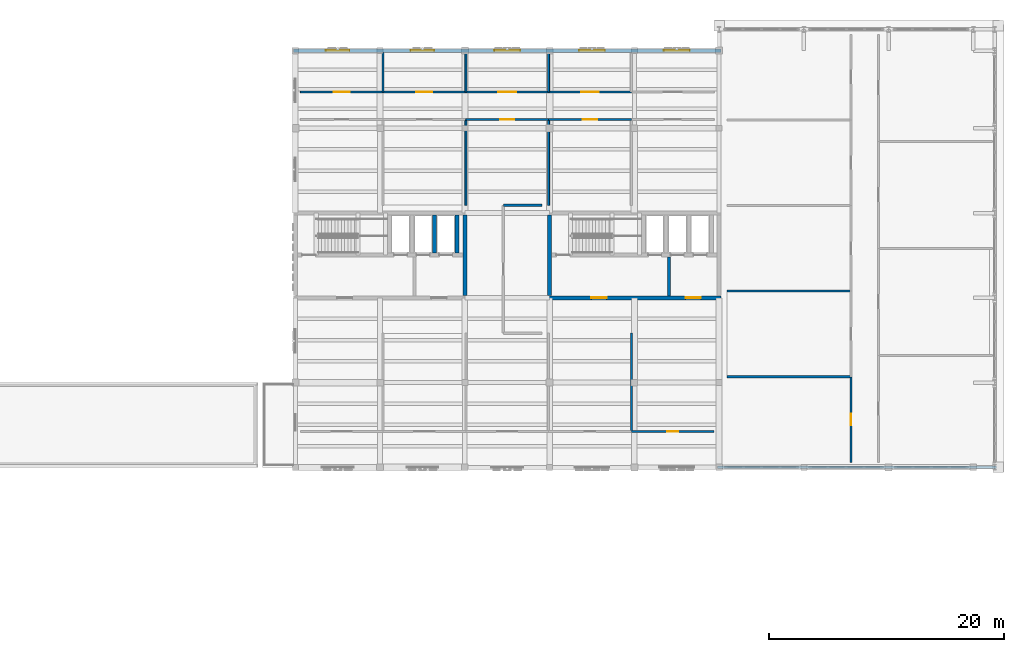
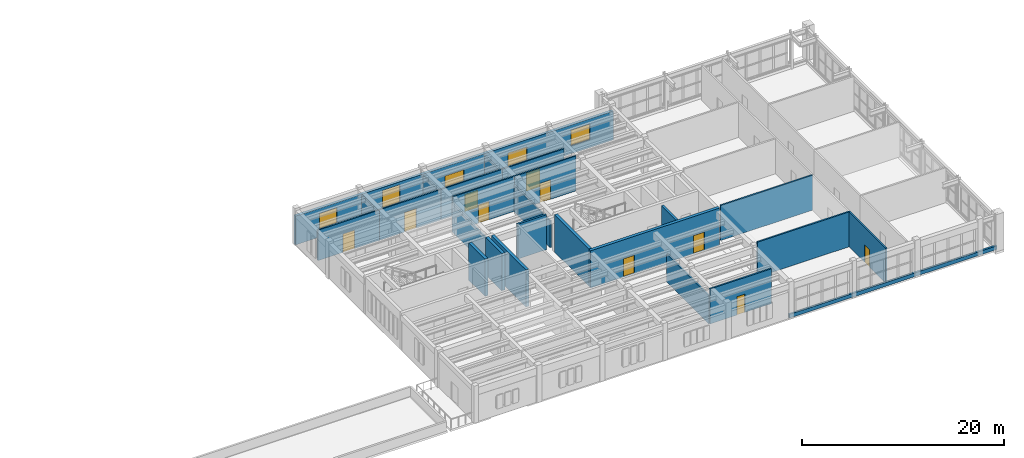
# One storey, part 13 of 18: 25 walls, 10 doors, 5 windows, 15 openings.
"""IFC4 building model written with IfcOpenShell, lengths in metres."""

from ifc_helpers import new_model, si_unit, direction, frame, frame_2d, origin, place, context, subcontext, project, spatial, rectangle, extrude, material, layer, layer_set, type_object, element, fill, save


model = new_model("IFC4")

# Units and contexts
model_context = context("Model", 3, precision=1e-05, world=origin(), true_north=direction((0.0, 1.0)))
body_context = subcontext(model_context, "Body", "Model", "MODEL_VIEW")
ifc_project = project(units=[si_unit("LENGTHUNIT", "METRE"), si_unit("AREAUNIT", "SQUARE_METRE"), si_unit("VOLUMEUNIT", "CUBIC_METRE"), si_unit("PLANEANGLEUNIT", "RADIAN"), si_unit("MASSUNIT", "GRAM", prefix="KILO")], contexts=[model_context])

# Site, building, storey
site_placement = place(None, origin())
site = spatial("IfcSite", under=ifc_project, at=site_placement, CompositionType="ELEMENT")
building_placement = place(site_placement, origin())
building = spatial("IfcBuilding", under=site, at=building_placement, Name="Mithqara Police Headquarters", CompositionType="ELEMENT")
storey_placement = place(building_placement, frame((0.0, 0.0, 26.39990234375)))
storey = spatial("IfcBuildingStorey", under=building, at=storey_placement, Name="L06", CompositionType="ELEMENT", Elevation=26.39990234375)

# Wall
ifc_material_1 = material(Name="Concrete C40/50", Category="concrete")
ifc_layer_1 = layer(ifc_material_1, 0.239990234375, Name="Concrete C40/50")
ifc_layer_set_1 = layer_set([ifc_layer_1], Name="Concrete C40/50")
wall_type_1 = type_object("IfcWallType", Name="CORE LOBBY WALL 240", PredefinedType="SOLIDWALL", material=ifc_layer_set_1)
wall_1_placement = place(storey_placement, frame((140.330078125, 93.169921875, 0.0), z_axis=(0.0, 0.0, 1.0), x_axis=(0.0, 1.0, 0.0)))
element("IfcWall", 1, at=wall_1_placement, inside=storey, type_object=wall_type_1, Name="Core C2 Command East Firefighting Lobby Separation Wall L06", PredefinedType="SOLIDWALL", context=body_context, shape_type="SweptSolid", body=[
    extrude(rectangle(XDim=3.280029296875, YDim=0.239990234375, at=frame_2d((1.64013671875, 0.0))), origin(), (0.0, 0.0, 1.0), 4.190185546875),
])

# Wall, openings, windows
ifc_material_2 = material(Name="Ochre masonry cavity wall, 35 MPa", Category="masonry")
ifc_layer_2 = layer(ifc_material_2, 0.300048828125, Name="Ochre masonry cavity wall, 35 MPa")
ifc_layer_set_2 = layer_set([ifc_layer_2], Name="Ochre masonry cavity wall, 35 MPa")
wall_type_2 = type_object("IfcWallType", Name="EXT WALL OCHRE BRICK300", PredefinedType="SOLIDWALL", material=ifc_layer_set_2)
wall_2_placement = place(storey_placement, frame((144.75, 114.0, 0.0), z_axis=(0.0, 0.0, 1.0), x_axis=(-1.0, 0.0, 0.0)))
wall_2 = element("IfcWall", 2, at=wall_2_placement, inside=storey, type_object=wall_type_2, Name="L06 Exterior Wall 6.1", PredefinedType="SOLIDWALL", context=body_context, shape_type="SweptSolid", body=[
    extrude(rectangle(XDim=36.300048828125, YDim=0.300048828125, at=frame_2d((18.14990234375, 0.0))), origin(), (0.0, 0.0, 1.0), 3.47021484375),
])
opening_1_placement = place(wall_2_placement, frame((31.550048828125, 0.0, 0.949951171875)))
opening_1 = element("IfcOpeningElement", 3, at=opening_1_placement, cuts=wall_2, Name="Opening W-38", PredefinedType="OPENING", context=body_context, shape_type="SweptSolid", body=[
    extrude(rectangle(XDim=2.0, YDim=1.89990234375, at=frame_2d((1.0, 0.949951171875))), frame((0.0, 0.16015625, 0.0), z_axis=(0.0, -1.0, 0.0), x_axis=(1.0, 0.0, 0.0)), (0.0, 0.0, 1.0), 0.320068359375),
])
opening_2_placement = place(wall_2_placement, frame((24.35009765625, 0.0, 0.949951171875)))
opening_2 = element("IfcOpeningElement", 4, at=opening_2_placement, cuts=wall_2, Name="Opening W-39", PredefinedType="OPENING", context=body_context, shape_type="SweptSolid", body=[
    extrude(rectangle(XDim=2.0, YDim=2.14990234375, at=frame_2d((1.0, 1.074951171875))), frame((0.0, 0.16015625, 0.0), z_axis=(0.0, -1.0, 0.0), x_axis=(1.0, 0.0, 0.0)), (0.0, 0.0, 1.0), 0.320068359375),
])
opening_3_placement = place(wall_2_placement, frame((17.050048828125, 0.0, 0.949951171875)))
opening_3 = element("IfcOpeningElement", 5, at=opening_3_placement, cuts=wall_2, Name="Opening W-41", PredefinedType="OPENING", context=body_context, shape_type="SweptSolid", body=[
    extrude(rectangle(XDim=2.199951171875, YDim=1.39990234375, at=frame_2d((1.10009765625, 0.699951171875))), frame((0.0, 0.16015625, 0.0), z_axis=(0.0, -1.0, 0.0), x_axis=(1.0, 0.0, 0.0)), (0.0, 0.0, 1.0), 0.320068359375),
])
opening_4_placement = place(wall_2_placement, frame((9.85009765625, 0.0, 0.949951171875)))
opening_4 = element("IfcOpeningElement", 6, at=opening_4_placement, cuts=wall_2, Name="Opening W-42", PredefinedType="OPENING", context=body_context, shape_type="SweptSolid", body=[
    extrude(rectangle(XDim=2.199951171875, YDim=1.64990234375, at=frame_2d((1.10009765625, 0.824951171875))), frame((0.0, 0.16015625, 0.0), z_axis=(0.0, -1.0, 0.0), x_axis=(1.0, 0.0, 0.0)), (0.0, 0.0, 1.0), 0.320068359375),
])
opening_5_placement = place(wall_2_placement, frame((2.64990234375, 0.0, 0.949951171875)))
opening_5 = element("IfcOpeningElement", 7, at=opening_5_placement, cuts=wall_2, Name="Opening W-43", PredefinedType="OPENING", context=body_context, shape_type="SweptSolid", body=[
    extrude(rectangle(XDim=2.199951171875, YDim=1.89990234375, at=frame_2d((1.10009765625, 0.949951171875))), frame((0.0, 0.16015625, 0.0), z_axis=(0.0, -1.0, 0.0), x_axis=(1.0, 0.0, 0.0)), (0.0, 0.0, 1.0), 0.320068359375),
])
ifc_material_3 = material(Name="Spectrally selective double low-e glass", Category="glass")
window_type_1 = type_object("IfcWindowType", Name="WINDOW 2000X1900", PartitioningType="DOUBLE_PANEL_VERTICAL", PredefinedType="WINDOW", material=ifc_material_3)
window_1_placement = place(opening_1_placement, origin())
window_1 = element("IfcWindow", 8, at=window_1_placement, inside=storey, type_object=window_type_1, Name="L06 Command Block Screened Window 6.1", OverallHeight=1.89990234375, OverallWidth=2.0, PartitioningType="SINGLE_PANEL", PredefinedType="WINDOW", context=body_context, shape_type="SweptSolid", body=[
    extrude(rectangle(XDim=2.0, YDim=1.89990234375, at=frame_2d((1.0, 0.949951171875))), frame((0.0, 0.030029296875, 0.0), z_axis=(0.0, -1.0, 0.0), x_axis=(1.0, 0.0, 0.0)), (0.0, 0.0, 1.0), 0.06005859375),
])
fill(opening_1, window_1)
window_type_2 = type_object("IfcWindowType", Name="WINDOW 2000X2150", PartitioningType="DOUBLE_PANEL_VERTICAL", PredefinedType="WINDOW", material=ifc_material_3)
window_2_placement = place(opening_2_placement, origin())
window_2 = element("IfcWindow", 9, at=window_2_placement, inside=storey, type_object=window_type_2, Name="L06 Command Block Screened Window 6.2", OverallHeight=2.14990234375, OverallWidth=2.0, PartitioningType="SINGLE_PANEL", PredefinedType="WINDOW", context=body_context, shape_type="SweptSolid", body=[
    extrude(rectangle(XDim=2.0, YDim=2.14990234375, at=frame_2d((1.0, 1.074951171875))), frame((0.0, 0.030029296875, 0.0), z_axis=(0.0, -1.0, 0.0), x_axis=(1.0, 0.0, 0.0)), (0.0, 0.0, 1.0), 0.06005859375),
])
fill(opening_2, window_2)
window_type_3 = type_object("IfcWindowType", Name="WINDOW 2200X1400", PartitioningType="DOUBLE_PANEL_VERTICAL", PredefinedType="WINDOW", material=ifc_material_3)
window_3_placement = place(opening_3_placement, origin())
window_3 = element("IfcWindow", 10, at=window_3_placement, inside=storey, type_object=window_type_3, Name="L06 Command Block Screened Window 6.3", OverallHeight=1.39990234375, OverallWidth=2.199951171875, PartitioningType="SINGLE_PANEL", PredefinedType="WINDOW", context=body_context, shape_type="SweptSolid", body=[
    extrude(rectangle(XDim=2.199951171875, YDim=1.39990234375, at=frame_2d((1.10009765625, 0.699951171875))), frame((0.0, 0.030029296875, 0.0), z_axis=(0.0, -1.0, 0.0), x_axis=(1.0, 0.0, 0.0)), (0.0, 0.0, 1.0), 0.06005859375),
])
fill(opening_3, window_3)
window_type_4 = type_object("IfcWindowType", Name="WINDOW 2200X1650", PartitioningType="DOUBLE_PANEL_VERTICAL", PredefinedType="WINDOW", material=ifc_material_3)
window_4_placement = place(opening_4_placement, origin())
window_4 = element("IfcWindow", 11, at=window_4_placement, inside=storey, type_object=window_type_4, Name="L06 Command Block Screened Window 6.4", OverallHeight=1.64990234375, OverallWidth=2.199951171875, PartitioningType="SINGLE_PANEL", PredefinedType="WINDOW", context=body_context, shape_type="SweptSolid", body=[
    extrude(rectangle(XDim=2.199951171875, YDim=1.64990234375, at=frame_2d((1.10009765625, 0.824951171875))), frame((0.0, 0.030029296875, 0.0), z_axis=(0.0, -1.0, 0.0), x_axis=(1.0, 0.0, 0.0)), (0.0, 0.0, 1.0), 0.06005859375),
])
fill(opening_4, window_4)
window_type_5 = type_object("IfcWindowType", Name="WINDOW 2200X1900", PartitioningType="DOUBLE_PANEL_VERTICAL", PredefinedType="WINDOW", material=ifc_material_3)
window_5_placement = place(opening_5_placement, origin())
window_5 = element("IfcWindow", 12, at=window_5_placement, inside=storey, type_object=window_type_5, Name="L06 Command Block Screened Window 6.5", OverallHeight=1.89990234375, OverallWidth=2.199951171875, PartitioningType="SINGLE_PANEL", PredefinedType="WINDOW", context=body_context, shape_type="SweptSolid", body=[
    extrude(rectangle(XDim=2.199951171875, YDim=1.89990234375, at=frame_2d((1.10009765625, 0.949951171875))), frame((0.0, 0.030029296875, 0.0), z_axis=(0.0, -1.0, 0.0), x_axis=(1.0, 0.0, 0.0)), (0.0, 0.0, 1.0), 0.06005859375),
])
fill(opening_5, window_5)

# Walls
ifc_material_4 = material(Name="Limestone ashlar masonry, 45 MPa", Category="masonry")
ifc_layer_3 = layer(ifc_material_4, 0.219970703125, Name="Limestone ashlar masonry, 45 MPa")
ifc_layer_set_3 = layer_set([ifc_layer_3], Name="Limestone ashlar masonry, 45 MPa")
wall_type_3 = type_object("IfcWallType", Name="PARAPET WALL 220", PredefinedType="PARAPET", material=ifc_layer_set_3)
wall_3_placement = place(storey_placement, frame((144.449951171875, 78.60009765625, 0.0), z_axis=(0.0, 0.0, 1.0), x_axis=(1.0, 0.0, 0.0)))
element("IfcWall", 13, at=wall_3_placement, inside=storey, type_object=wall_type_3, Name="L06 Command Cube Sill Curb 2", PredefinedType="PARAPET", context=body_context, shape_type="SweptSolid", body=[
    extrude(rectangle(XDim=23.699951171875, YDim=0.219970703125, at=frame_2d((11.85009765625, 0.0))), origin(), (0.0, 0.0, 1.0), 0.4501953125),
])
ifc_material_5 = material(Name="Gypsum acoustic stud partition", Category="gypsum")
ifc_layer_4 = layer(ifc_material_5, 0.159912109375, Name="Gypsum acoustic stud partition")
ifc_layer_set_4 = layer_set([ifc_layer_4], Name="Gypsum acoustic stud partition")
wall_type_4 = type_object("IfcWallType", Name="PART WALL 160", PredefinedType="PARTITIONING", material=ifc_layer_set_4)
wall_4_placement = place(storey_placement, frame((123.083984375, 100.85009765625, 0.0), z_axis=(0.0, 0.0, 1.0), x_axis=(0.0, 1.0, 0.0)))
element("IfcWall", 14, at=wall_4_placement, inside=storey, type_object=wall_type_4, Name="L06 Room Partition Radio Cryptography Server Room", PredefinedType="PARTITIONING", context=body_context, shape_type="SweptSolid", body=[
    extrude(rectangle(XDim=7.289794921875, YDim=0.159912109375, at=frame_2d((3.64501953125, 0.0))), origin(), (0.0, 0.0, 1.0), 3.320068359375),
])

# Wall, opening, door
wall_5_placement = place(storey_placement, frame((123.083984375, 108.139892578125, 0.0), z_axis=(0.0, 0.0, 1.0), x_axis=(1.0, 0.0, 0.0)))
wall_5 = element("IfcWall", 15, at=wall_5_placement, inside=storey, type_object=wall_type_4, Name="L06 Corridor Wall Shift Commander Briefing Room", PredefinedType="PARTITIONING", context=body_context, shape_type="SweptSolid", body=[
    extrude(rectangle(XDim=7.031982421875, YDim=0.159912109375, at=frame_2d((3.51611328125, 0.0))), origin(), (0.0, 0.0, 1.0), 4.22021484375),
])
opening_6_placement = place(wall_5_placement, frame((2.906005859375, 0.0, 0.0)))
opening_6 = element("IfcOpeningElement", 16, at=opening_6_placement, cuts=wall_5, Name="Opening D-14", PredefinedType="OPENING", context=body_context, shape_type="SweptSolid", body=[
    extrude(rectangle(XDim=1.219970703125, YDim=2.219970703125, at=frame_2d((0.60986328125, 1.10986328125))), frame((0.0, 0.08984375, 0.0), z_axis=(0.0, -1.0, 0.0), x_axis=(1.0, 0.0, 0.0)), (0.0, 0.0, 1.0), 0.179931640625),
])
ifc_material_6 = material(Name="Acoustic solid-core timber leaf", Category="wood")
door_type_1 = type_object("IfcDoorType", Name="INT DOOR 1220X2220", OperationType="NOTDEFINED", PredefinedType="DOOR", material=ifc_material_6)
door_1_placement = place(opening_6_placement, frame((1.219970703125, 0.0, 0.0), z_axis=(0.0, 0.0, 1.0), x_axis=(-1.0, 0.0, 0.0)))
door_1 = element("IfcDoor", 17, at=door_1_placement, inside=storey, type_object=door_type_1, Name="Shift Commander Briefing Room Entry Door", OperationType="SINGLE_SWING_LEFT", OverallHeight=2.219970703125, OverallWidth=1.219970703125, PredefinedType="DOOR", context=body_context, shape_type="SweptSolid", body=[
    extrude(rectangle(XDim=1.219970703125, YDim=2.219970703125, at=frame_2d((0.60986328125, 1.10986328125))), frame((0.0, 0.02490234375, 0.0), z_axis=(0.0, -1.0, 0.0), x_axis=(1.0, 0.0, 0.0)), (0.0, 0.0, 1.0), 0.050048828125),
])
fill(opening_6, door_1)

# Wall
wall_6_placement = place(storey_placement, frame((130.115966796875, 100.85009765625, 0.0), z_axis=(0.0, 0.0, 1.0), x_axis=(0.0, 1.0, 0.0)))
element("IfcWall", 18, at=wall_6_placement, inside=storey, type_object=wall_type_4, Name="L06 Room Partition Shift Commander Briefing Room", PredefinedType="PARTITIONING", context=body_context, shape_type="SweptSolid", body=[
    extrude(rectangle(XDim=7.289794921875, YDim=0.159912109375, at=frame_2d((3.64501953125, 0.0))), origin(), (0.0, 0.0, 1.0), 3.22021484375),
])

# Wall, opening, door
wall_7_placement = place(storey_placement, frame((130.115966796875, 108.139892578125, 0.0), z_axis=(0.0, 0.0, 1.0), x_axis=(1.0, 0.0, 0.0)))
wall_7 = element("IfcWall", 19, at=wall_7_placement, inside=storey, type_object=wall_type_4, Name="L06 Corridor Wall Male Staff WC", PredefinedType="PARTITIONING", context=body_context, shape_type="SweptSolid", body=[
    extrude(rectangle(XDim=7.031982421875, YDim=0.159912109375, at=frame_2d((3.51611328125, 0.0))), origin(), (0.0, 0.0, 1.0), 4.22021484375),
])
opening_7_placement = place(wall_7_placement, frame((2.906005859375, 0.0, 0.0)))
opening_7 = element("IfcOpeningElement", 20, at=opening_7_placement, cuts=wall_7, Name="Opening D-15", PredefinedType="OPENING", context=body_context, shape_type="SweptSolid", body=[
    extrude(rectangle(XDim=1.219970703125, YDim=2.35009765625, at=frame_2d((0.60986328125, 1.175048828125))), frame((0.0, 0.08984375, 0.0), z_axis=(0.0, -1.0, 0.0), x_axis=(1.0, 0.0, 0.0)), (0.0, 0.0, 1.0), 0.179931640625),
])
door_type_2 = type_object("IfcDoorType", Name="INT DOOR 1220X2350", OperationType="NOTDEFINED", PredefinedType="DOOR", material=ifc_material_6)
door_2_placement = place(opening_7_placement, frame((1.219970703125, 0.0, 0.0), z_axis=(0.0, 0.0, 1.0), x_axis=(-1.0, 0.0, 0.0)))
door_2 = element("IfcDoor", 21, at=door_2_placement, inside=storey, type_object=door_type_2, Name="Male Staff WC Entry Door", OperationType="SINGLE_SWING_RIGHT", OverallHeight=2.35009765625, OverallWidth=1.219970703125, PredefinedType="DOOR", context=body_context, shape_type="SweptSolid", body=[
    extrude(rectangle(XDim=1.219970703125, YDim=2.35009765625, at=frame_2d((0.60986328125, 1.175048828125))), frame((0.0, 0.02490234375, 0.0), z_axis=(0.0, -1.0, 0.0), x_axis=(1.0, 0.0, 0.0)), (0.0, 0.0, 1.0), 0.050048828125),
])
fill(opening_7, door_2)

wall_8_placement = place(storey_placement, frame((109.02001953125, 110.47998046875, 0.0), z_axis=(0.0, 0.0, 1.0), x_axis=(1.0, 0.0, 0.0)))
wall_8 = element("IfcWall", 22, at=wall_8_placement, inside=storey, type_object=wall_type_4, Name="L06 Corridor Wall Accessible WC", PredefinedType="PARTITIONING", context=body_context, shape_type="SweptSolid", body=[
    extrude(rectangle(XDim=7.031982421875, YDim=0.159912109375, at=frame_2d((3.51611328125, 0.0))), origin(), (0.0, 0.0, 1.0), 3.670166015625),
])
opening_8_placement = place(wall_8_placement, frame((2.8359375, 0.0, 0.0)))
opening_8 = element("IfcOpeningElement", 23, at=opening_8_placement, cuts=wall_8, Name="Opening D-17", PredefinedType="OPENING", context=body_context, shape_type="SweptSolid", body=[
    extrude(rectangle(XDim=1.360107421875, YDim=2.219970703125, at=frame_2d((0.68017578125, 1.10986328125))), frame((0.0, 0.08984375, 0.0), z_axis=(0.0, -1.0, 0.0), x_axis=(1.0, 0.0, 0.0)), (0.0, 0.0, 1.0), 0.179931640625),
])
ifc_material_7 = material(Name="Bronze anodised aluminium 6063-T6", Category="aluminium")
door_type_3 = type_object("IfcDoorType", Name="INT DOOR 1360X2220", OperationType="NOTDEFINED", PredefinedType="DOOR", material=ifc_material_7)
door_3_placement = place(opening_8_placement, origin())
door_3 = element("IfcDoor", 24, at=door_3_placement, inside=storey, type_object=door_type_3, Name="Accessible WC Entry Door", OperationType="SINGLE_SWING_RIGHT", OverallHeight=2.219970703125, OverallWidth=1.360107421875, PredefinedType="DOOR", context=body_context, shape_type="SweptSolid", body=[
    extrude(rectangle(XDim=1.360107421875, YDim=2.219970703125, at=frame_2d((0.68017578125, 1.10986328125))), frame((0.0, 0.02490234375, 0.0), z_axis=(0.0, -1.0, 0.0), x_axis=(1.0, 0.0, 0.0)), (0.0, 0.0, 1.0), 0.050048828125),
])
fill(opening_8, door_3)

# Wall
wall_9_placement = place(storey_placement, frame((116.052001953125, 110.47998046875, 0.0), z_axis=(0.0, 0.0, 1.0), x_axis=(0.0, 1.0, 0.0)))
element("IfcWall", 25, at=wall_9_placement, inside=storey, type_object=wall_type_4, Name="L06 Room Partition Accessible WC", PredefinedType="PARTITIONING", context=body_context, shape_type="SweptSolid", body=[
    extrude(rectangle(XDim=3.340087890625, YDim=0.159912109375, at=frame_2d((1.669921875, 0.0))), origin(), (0.0, 0.0, 1.0), 3.3701171875),
])

# Wall, opening, door
wall_10_placement = place(storey_placement, frame((116.052001953125, 110.47998046875, 0.0), z_axis=(0.0, 0.0, 1.0), x_axis=(1.0, 0.0, 0.0)))
wall_10 = element("IfcWall", 26, at=wall_10_placement, inside=storey, type_object=wall_type_4, Name="L06 Corridor Wall Joint Intelligence Operations Room", PredefinedType="PARTITIONING", context=body_context, shape_type="SweptSolid", body=[
    extrude(rectangle(XDim=7.031982421875, YDim=0.159912109375, at=frame_2d((3.51611328125, 0.0))), origin(), (0.0, 0.0, 1.0), 3.670166015625),
])
opening_9_placement = place(wall_10_placement, frame((2.8359375, 0.0, 0.0)))
opening_9 = element("IfcOpeningElement", 27, at=opening_9_placement, cuts=wall_10, Name="Opening D-18", PredefinedType="OPENING", context=body_context, shape_type="SweptSolid", body=[
    extrude(rectangle(XDim=1.360107421875, YDim=2.35009765625, at=frame_2d((0.68017578125, 1.175048828125))), frame((0.0, 0.08984375, 0.0), z_axis=(0.0, -1.0, 0.0), x_axis=(1.0, 0.0, 0.0)), (0.0, 0.0, 1.0), 0.179931640625),
])
door_type_4 = type_object("IfcDoorType", Name="INT DOOR 1360X2350", OperationType="NOTDEFINED", PredefinedType="DOOR", material=ifc_material_7)
door_4_placement = place(opening_9_placement, origin())
door_4 = element("IfcDoor", 28, at=door_4_placement, inside=storey, type_object=door_type_4, Name="Joint Intelligence Operations Room Entry Door", OperationType="SINGLE_SWING_LEFT", OverallHeight=2.35009765625, OverallWidth=1.360107421875, PredefinedType="DOOR", context=body_context, shape_type="SweptSolid", body=[
    extrude(rectangle(XDim=1.360107421875, YDim=2.35009765625, at=frame_2d((0.68017578125, 1.175048828125))), frame((0.0, 0.02490234375, 0.0), z_axis=(0.0, -1.0, 0.0), x_axis=(1.0, 0.0, 0.0)), (0.0, 0.0, 1.0), 0.050048828125),
])
fill(opening_9, door_4)

# Wall
wall_11_placement = place(storey_placement, frame((123.083984375, 110.47998046875, 0.0), z_axis=(0.0, 0.0, 1.0), x_axis=(0.0, 1.0, 0.0)))
element("IfcWall", 29, at=wall_11_placement, inside=storey, type_object=wall_type_4, Name="L06 Room Partition Joint Intelligence Operations Room", PredefinedType="PARTITIONING", context=body_context, shape_type="SweptSolid", body=[
    extrude(rectangle(XDim=3.340087890625, YDim=0.159912109375, at=frame_2d((1.669921875, 0.0))), origin(), (0.0, 0.0, 1.0), 3.320068359375),
])

# Wall, opening, door
wall_12_placement = place(storey_placement, frame((123.083984375, 110.47998046875, 0.0), z_axis=(0.0, 0.0, 1.0), x_axis=(1.0, 0.0, 0.0)))
wall_12 = element("IfcWall", 30, at=wall_12_placement, inside=storey, type_object=wall_type_4, Name="L06 Corridor Wall Radio Cryptography Server Room", PredefinedType="PARTITIONING", context=body_context, shape_type="SweptSolid", body=[
    extrude(rectangle(XDim=7.031982421875, YDim=0.159912109375, at=frame_2d((3.51611328125, 0.0))), origin(), (0.0, 0.0, 1.0), 3.670166015625),
])
opening_10_placement = place(wall_12_placement, frame((2.756103515625, 0.0, 0.0)))
opening_10 = element("IfcOpeningElement", 31, at=opening_10_placement, cuts=wall_12, Name="Opening D-19", PredefinedType="OPENING", context=body_context, shape_type="SweptSolid", body=[
    extrude(rectangle(XDim=1.52001953125, YDim=2.10009765625, at=frame_2d((0.760009765625, 1.050048828125))), frame((0.0, 0.08984375, 0.0), z_axis=(0.0, -1.0, 0.0), x_axis=(1.0, 0.0, 0.0)), (0.0, 0.0, 1.0), 0.179931640625),
])
door_type_5 = type_object("IfcDoorType", Name="INT DOOR 1520X2100", OperationType="NOTDEFINED", PredefinedType="DOOR", material=ifc_material_7)
door_5_placement = place(opening_10_placement, origin())
door_5 = element("IfcDoor", 32, at=door_5_placement, inside=storey, type_object=door_type_5, Name="Radio Cryptography Server Room Entry Door", OperationType="DOUBLE_DOOR_SINGLE_SWING", OverallHeight=2.10009765625, OverallWidth=1.52001953125, PredefinedType="DOOR", context=body_context, shape_type="SweptSolid", body=[
    extrude(rectangle(XDim=1.52001953125, YDim=2.10009765625, at=frame_2d((0.760009765625, 1.050048828125))), frame((0.0, 0.02490234375, 0.0), z_axis=(0.0, -1.0, 0.0), x_axis=(1.0, 0.0, 0.0)), (0.0, 0.0, 1.0), 0.050048828125),
])
fill(opening_10, door_5)

# Wall
wall_13_placement = place(storey_placement, frame((130.115966796875, 110.47998046875, 0.0), z_axis=(0.0, 0.0, 1.0), x_axis=(0.0, 1.0, 0.0)))
element("IfcWall", 33, at=wall_13_placement, inside=storey, type_object=wall_type_4, Name="L06 Room Partition Radio Cryptography Server Room", PredefinedType="PARTITIONING", context=body_context, shape_type="SweptSolid", body=[
    extrude(rectangle(XDim=3.340087890625, YDim=0.159912109375, at=frame_2d((1.669921875, 0.0))), origin(), (0.0, 0.0, 1.0), 3.22021484375),
])

# Wall, opening, door
wall_14_placement = place(storey_placement, frame((130.115966796875, 110.47998046875, 0.0), z_axis=(0.0, 0.0, 1.0), x_axis=(1.0, 0.0, 0.0)))
wall_14 = element("IfcWall", 34, at=wall_14_placement, inside=storey, type_object=wall_type_4, Name="L06 Corridor Wall Shift Commander Briefing Room", PredefinedType="PARTITIONING", context=body_context, shape_type="SweptSolid", body=[
    extrude(rectangle(XDim=7.031982421875, YDim=0.159912109375, at=frame_2d((3.51611328125, 0.0))), origin(), (0.0, 0.0, 1.0), 3.670166015625),
])
opening_11_placement = place(wall_14_placement, frame((2.756103515625, 0.0, 0.0)))
opening_11 = element("IfcOpeningElement", 35, at=opening_11_placement, cuts=wall_14, Name="Opening D-20", PredefinedType="OPENING", context=body_context, shape_type="SweptSolid", body=[
    extrude(rectangle(XDim=1.52001953125, YDim=2.219970703125, at=frame_2d((0.760009765625, 1.10986328125))), frame((0.0, 0.08984375, 0.0), z_axis=(0.0, -1.0, 0.0), x_axis=(1.0, 0.0, 0.0)), (0.0, 0.0, 1.0), 0.179931640625),
])
door_type_6 = type_object("IfcDoorType", Name="INT DOOR 1520X2220", OperationType="NOTDEFINED", PredefinedType="DOOR", material=ifc_material_7)
door_6_placement = place(opening_11_placement, origin())
door_6 = element("IfcDoor", 36, at=door_6_placement, inside=storey, type_object=door_type_6, Name="Shift Commander Briefing Room Entry Door", OperationType="DOUBLE_DOOR_SINGLE_SWING", OverallHeight=2.219970703125, OverallWidth=1.52001953125, PredefinedType="DOOR", context=body_context, shape_type="SweptSolid", body=[
    extrude(rectangle(XDim=1.52001953125, YDim=2.219970703125, at=frame_2d((0.760009765625, 1.10986328125))), frame((0.0, 0.02490234375, 0.0), z_axis=(0.0, -1.0, 0.0), x_axis=(1.0, 0.0, 0.0)), (0.0, 0.0, 1.0), 0.050048828125),
])
fill(opening_11, door_6)

# Wall
ifc_layer_5 = layer(ifc_material_1, 0.179931640625, Name="Concrete C40/50")
ifc_layer_set_5 = layer_set([ifc_layer_5], Name="Concrete C40/50")
wall_type_5 = type_object("IfcWallType", Name="PART WALL 180", PredefinedType="PARTITIONING", material=ifc_layer_set_5)
wall_15_placement = place(storey_placement, frame((137.14794921875, 81.639892578125, 0.0), z_axis=(0.0, 0.0, 1.0), x_axis=(0.0, 1.0, 0.0)))
element("IfcWall", 37, at=wall_15_placement, inside=storey, type_object=wall_type_5, Name="L06 Room Partition Male Staff WC", PredefinedType="PARTITIONING", context=body_context, shape_type="SweptSolid", body=[
    extrude(rectangle(XDim=8.360107421875, YDim=0.179931640625, at=frame_2d((4.18017578125, 0.0))), origin(), (0.0, 0.0, 1.0), 3.3701171875),
])

# Wall, opening, door
wall_16_placement = place(storey_placement, frame((137.14794921875, 81.639892578125, 0.0), z_axis=(0.0, 0.0, 1.0), x_axis=(1.0, 0.0, 0.0)))
wall_16 = element("IfcWall", 38, at=wall_16_placement, inside=storey, type_object=wall_type_5, Name="L06 Corridor Wall Joint Intelligence Operations Room", PredefinedType="PARTITIONING", context=body_context, shape_type="SweptSolid", body=[
    extrude(rectangle(XDim=7.031982421875, YDim=0.179931640625, at=frame_2d((3.51611328125, 0.0))), origin(), (0.0, 0.0, 1.0), 4.22021484375),
])
opening_12_placement = place(wall_16_placement, frame((3.055908203125, 0.0, 0.0)))
opening_12 = element("IfcOpeningElement", 39, at=opening_12_placement, cuts=wall_16, Name="Opening D-02", PredefinedType="OPENING", context=body_context, shape_type="SweptSolid", body=[
    extrude(rectangle(XDim=0.919921875, YDim=2.219970703125, at=frame_2d((0.4599609375, 1.10986328125))), frame((0.0, 0.10009765625, 0.0), z_axis=(0.0, -1.0, 0.0), x_axis=(1.0, 0.0, 0.0)), (0.0, 0.0, 1.0), 0.199951171875),
])
door_type_7 = type_object("IfcDoorType", Name="INT DOOR 920X2220", OperationType="NOTDEFINED", PredefinedType="DOOR", material=ifc_material_6)
door_7_placement = place(opening_12_placement, origin())
door_7 = element("IfcDoor", 40, at=door_7_placement, inside=storey, type_object=door_type_7, Name="Joint Intelligence Operations Room Entry Door", OperationType="SINGLE_SWING_LEFT", OverallHeight=2.219970703125, OverallWidth=0.919921875, PredefinedType="DOOR", context=body_context, shape_type="SweptSolid", body=[
    extrude(rectangle(XDim=0.919921875, YDim=2.219970703125, at=frame_2d((0.4599609375, 1.10986328125))), frame((0.0, 0.02490234375, 0.0), z_axis=(0.0, -1.0, 0.0), x_axis=(1.0, 0.0, 0.0)), (0.0, 0.0, 1.0), 0.050048828125),
])
fill(opening_12, door_7)

wall_17_placement = place(storey_placement, frame((155.794921875, 79.02001953125, 0.0), z_axis=(0.0, 0.0, 1.0), x_axis=(0.0, 1.0, 0.0)))
wall_17 = element("IfcWall", 41, at=wall_17_placement, inside=storey, type_object=wall_type_5, Name="L06 Corridor Wall Control Room", PredefinedType="PARTITIONING", context=body_context, shape_type="SweptSolid", body=[
    extrude(rectangle(XDim=7.27197265625, YDim=0.179931640625, at=frame_2d((3.635986328125, 0.0))), origin(), (0.0, 0.0, 1.0), 4.22021484375),
])
opening_13_placement = place(wall_17_placement, frame((3.14599609375, 0.0, 0.0)))
opening_13 = element("IfcOpeningElement", 42, at=opening_13_placement, cuts=wall_17, Name="Opening D-04", PredefinedType="OPENING", context=body_context, shape_type="SweptSolid", body=[
    extrude(rectangle(XDim=0.97998046875, YDim=2.10009765625, at=frame_2d((0.489990234375, 1.050048828125))), frame((0.0, 0.10009765625, 0.0), z_axis=(0.0, -1.0, 0.0), x_axis=(1.0, 0.0, 0.0)), (0.0, 0.0, 1.0), 0.199951171875),
])
door_type_8 = type_object("IfcDoorType", Name="INT DOOR 980X2100", OperationType="NOTDEFINED", PredefinedType="DOOR", material=ifc_material_6)
door_8_placement = place(opening_13_placement, frame((0.97998046875, 0.0, 0.0), z_axis=(0.0, 0.0, 1.0), x_axis=(-1.0, 0.0, 0.0)))
door_8 = element("IfcDoor", 43, at=door_8_placement, inside=storey, type_object=door_type_8, Name="Control Room Entry Door", OperationType="SINGLE_SWING_LEFT", OverallHeight=2.10009765625, OverallWidth=0.97998046875, PredefinedType="DOOR", context=body_context, shape_type="SweptSolid", body=[
    extrude(rectangle(XDim=0.97998046875, YDim=2.10009765625, at=frame_2d((0.489990234375, 1.050048828125))), frame((0.0, 0.02490234375, 0.0), z_axis=(0.0, -1.0, 0.0), x_axis=(1.0, 0.0, 0.0)), (0.0, 0.0, 1.0), 0.050048828125),
])
fill(opening_13, door_8)

# Walls
for number, where, z_axis, x_axis, name in (
    (44, (145.25, 86.2919921875, 0.0), (0.0, 0.0, 1.0), (1.0, 0.0, 0.0), "L06 Room Partition Control Room"),
    (45, (145.25, 93.56396484375, 0.0), (0.0, 0.0, 1.0), (1.0, 0.0, 0.0), "L06 Room Partition Emergency Dispatch Hall"),
):
    element("IfcWall", number, at=place(storey_placement, frame(where, z_axis=z_axis, x_axis=x_axis)), inside=storey, type_object=wall_type_5, Name=name, PredefinedType="PARTITIONING", context=body_context, shape_type="SweptSolid", body=[
        extrude(rectangle(XDim=10.544921875, YDim=0.179931640625, at=frame_2d((5.2724609375, 0.0))), origin(), (0.0, 0.0, 1.0), 4.22021484375),
    ])
ifc_layer_6 = layer(ifc_material_1, 0.2099609375, Name="Concrete C40/50")
ifc_layer_set_6 = layer_set([ifc_layer_6], Name="Concrete C40/50")
wall_type_6 = type_object("IfcWallType", Name="PART WALL 210", PredefinedType="PARTITIONING", material=ifc_layer_set_6)
wall_18_placement = place(storey_placement, frame((126.27001953125, 100.85009765625, 0.0), z_axis=(0.0, 0.0, 1.0), x_axis=(1.0, 0.0, 0.0)))
element("IfcWall", 46, at=wall_18_placement, inside=storey, type_object=wall_type_6, Name="L06 Partition End Closure E1", PredefinedType="PARTITIONING", context=body_context, shape_type="SweptSolid", body=[
    extrude(rectangle(XDim=3.280029296875, YDim=0.2099609375, at=frame_2d((1.64013671875, 0.0))), origin(), (0.0, 0.0, 1.0), 4.22021484375),
])
ifc_material_8 = material(Name="Concrete C50/60", Category="concrete")
ifc_layer_7 = layer(ifc_material_8, 0.340087890625, Name="Concrete C50/60")
ifc_layer_set_7 = layer_set([ifc_layer_7], Name="Concrete C50/60")
wall_type_7 = type_object("IfcWallType", Name="SHEAR WALL 340", PredefinedType="SHEAR", material=ifc_layer_set_7)
wall_19_placement = place(storey_placement, frame((123.0, 93.179931640625, 0.0), z_axis=(0.0, 0.0, 1.0), x_axis=(0.0, 1.0, 0.0)))
element("IfcWall", 47, at=wall_19_placement, inside=storey, type_object=wall_type_7, Name="Core C1 Command West Shear Wall E", PredefinedType="SHEAR", context=body_context, shape_type="SweptSolid", body=[
    extrude(rectangle(XDim=6.840087890625, YDim=0.340087890625, at=frame_2d((3.419921875, 0.0))), origin(), (0.0, 0.0, 1.0), 4.5),
])
for number, where, z_axis, x_axis, name in (
    (48, (120.419921875, 96.800048828125, 0.0), (0.0, 0.0, 1.0), (0.0, 1.0, 0.0), "Core C1 Command West Shear Wall L2"),
    (49, (122.340087890625, 96.800048828125, 0.0), (0.0, 0.0, 1.0), (0.0, 1.0, 0.0), "Core C1 Command West Shear Wall L3"),
):
    element("IfcWall", number, at=place(storey_placement, frame(where, z_axis=z_axis, x_axis=x_axis)), inside=storey, type_object=wall_type_7, Name=name, PredefinedType="SHEAR", context=body_context, shape_type="SweptSolid", body=[
        extrude(rectangle(XDim=3.219970703125, YDim=0.340087890625, at=frame_2d((1.60986328125, 0.0))), origin(), (0.0, 0.0, 1.0), 4.5),
    ])

# Wall, openings, doors
wall_20_placement = place(storey_placement, frame((130.030029296875, 93.0, 0.0), z_axis=(0.0, 0.0, 1.0), x_axis=(1.0, 0.0, 0.0)))
wall_20 = element("IfcWall", 50, at=wall_20_placement, inside=storey, type_object=wall_type_7, Name="Core C2 Command East Shear Wall S", PredefinedType="SHEAR", context=body_context, shape_type="SweptSolid", body=[
    extrude(rectangle(XDim=14.739990234375, YDim=0.340087890625, at=frame_2d((7.3701171875, 0.0))), origin(), (0.0, 0.0, 1.0), 4.5),
])
opening_14_placement = place(wall_20_placement, frame((3.719970703125, 0.0, 0.0)))
opening_14 = element("IfcOpeningElement", 51, at=opening_14_placement, cuts=wall_20, Name="Opening FD-02", PredefinedType="OPENING", context=body_context, shape_type="SweptSolid", body=[
    extrude(rectangle(XDim=1.300048828125, YDim=2.199951171875, at=frame_2d((0.64990234375, 1.10009765625))), frame((0.0, 0.18017578125, 0.0), z_axis=(0.0, -1.0, 0.0), x_axis=(1.0, 0.0, 0.0)), (0.0, 0.0, 1.0), 0.360107421875),
])
opening_15_placement = place(wall_20_placement, frame((11.719970703125, 0.0, 0.0)))
opening_15 = element("IfcOpeningElement", 52, at=opening_15_placement, cuts=wall_20, Name="Opening FD-02", PredefinedType="OPENING", context=body_context, shape_type="SweptSolid", body=[
    extrude(rectangle(XDim=1.300048828125, YDim=2.199951171875, at=frame_2d((0.64990234375, 1.10009765625))), frame((0.0, 0.18017578125, 0.0), z_axis=(0.0, -1.0, 0.0), x_axis=(1.0, 0.0, 0.0)), (0.0, 0.0, 1.0), 0.360107421875),
])
ifc_material_9 = material(Name="Steel S355JR", Category="steel")
door_type_9 = type_object("IfcDoorType", Name="CORE DOOR LOBBY 1300X2200", OperationType="NOTDEFINED", PredefinedType="DOOR", material=ifc_material_9)
door_9_placement = place(opening_14_placement, frame((1.300048828125, 0.0, 0.0), z_axis=(0.0, 0.0, 1.0), x_axis=(-1.0, 0.0, 0.0)))
door_9 = element("IfcDoor", 53, at=door_9_placement, inside=storey, type_object=door_type_9, Name="Core C2 Command East FF Lobby Fire Door L06", OperationType="SINGLE_SWING_LEFT", OverallHeight=2.199951171875, OverallWidth=1.300048828125, PredefinedType="DOOR", context=body_context, shape_type="SweptSolid", body=[
    extrude(rectangle(XDim=1.300048828125, YDim=2.199951171875, at=frame_2d((0.64990234375, 1.10009765625))), frame((0.0, 0.02490234375, 0.0), z_axis=(0.0, -1.0, 0.0), x_axis=(1.0, 0.0, 0.0)), (0.0, 0.0, 1.0), 0.050048828125),
])
fill(opening_14, door_9)
door_10_placement = place(opening_15_placement, frame((1.300048828125, 0.0, 0.0), z_axis=(0.0, 0.0, 1.0), x_axis=(-1.0, 0.0, 0.0)))
door_10 = element("IfcDoor", 54, at=door_10_placement, inside=storey, type_object=door_type_9, Name="Core C2 Command East PA Lobby Fire Door L06", OperationType="SINGLE_SWING_RIGHT", OverallHeight=2.199951171875, OverallWidth=1.300048828125, PredefinedType="DOOR", context=body_context, shape_type="SweptSolid", body=[
    extrude(rectangle(XDim=1.300048828125, YDim=2.199951171875, at=frame_2d((0.64990234375, 1.10009765625))), frame((0.0, 0.02490234375, 0.0), z_axis=(0.0, -1.0, 0.0), x_axis=(1.0, 0.0, 0.0)), (0.0, 0.0, 1.0), 0.050048828125),
])
fill(opening_15, door_10)

# Wall
wall_21_placement = place(storey_placement, frame((130.199951171875, 93.179931640625, 0.0), z_axis=(0.0, 0.0, 1.0), x_axis=(0.0, 1.0, 0.0)))
element("IfcWall", 55, at=wall_21_placement, inside=storey, type_object=wall_type_7, Name="Core C2 Command East Shear Wall W", PredefinedType="SHEAR", context=body_context, shape_type="SweptSolid", body=[
    extrude(rectangle(XDim=6.840087890625, YDim=0.340087890625, at=frame_2d((3.419921875, 0.0))), origin(), (0.0, 0.0, 1.0), 4.5),
])

save(model, "model.ifc")
